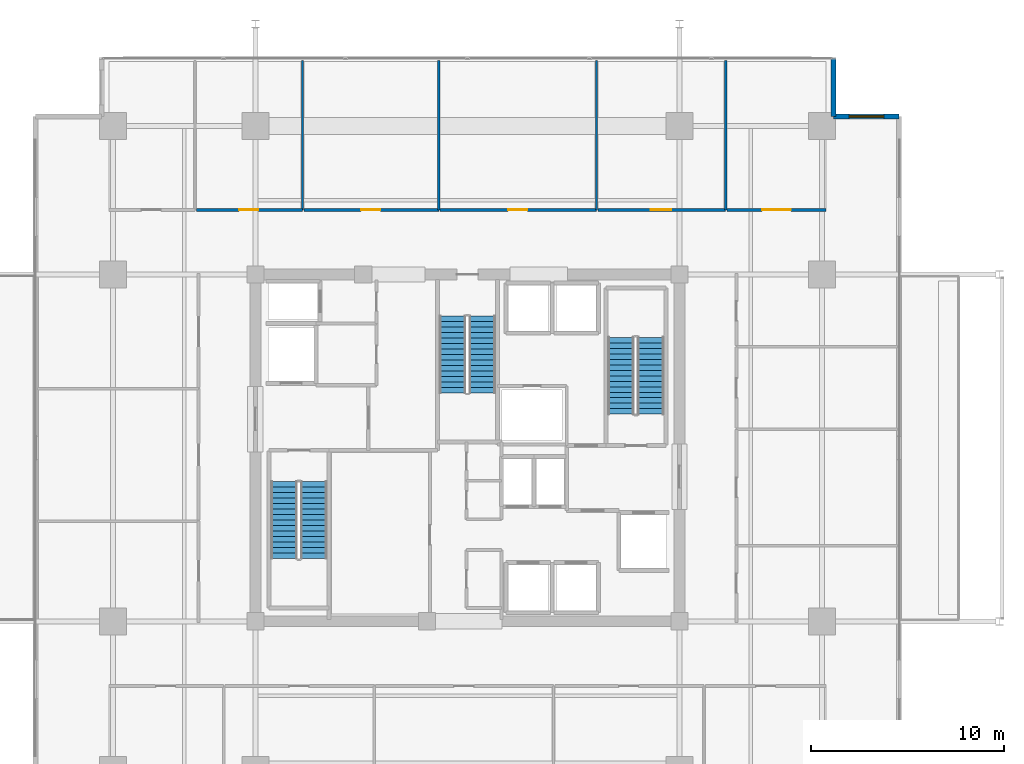
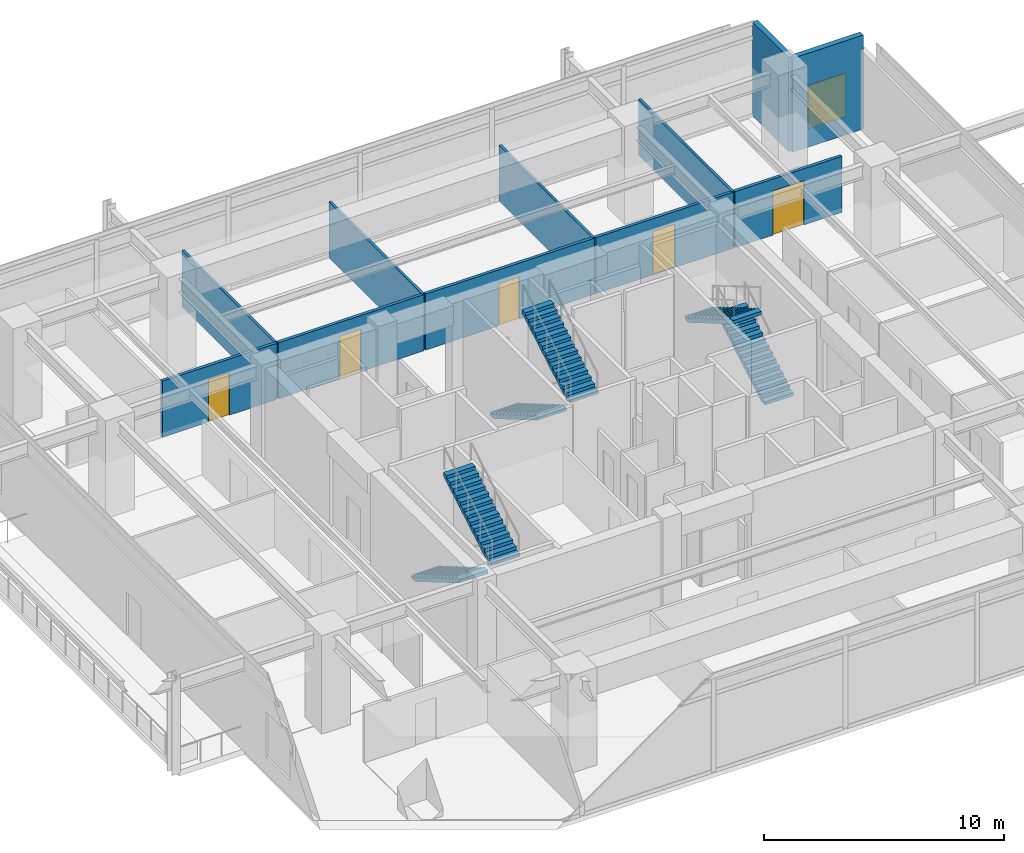
# One storey, part 15 of 19: 11 walls, 6 stair flights, 5 doors, 1 window, 6 openings, 3 elements without a shape of their own.
"""IFC4 building model written with IfcOpenShell, lengths in metres."""

from ifc_helpers import new_model, si_unit, direction, frame, frame_2d, origin, place, context, subcontext, project, spatial, polyline, rectangle, outline, extrude, material, layer, layer_set, type_object, element, fill, aggregate, save


model = new_model("IFC4")

# Units and contexts
model_context = context("Model", 3, precision=1e-05, world=origin(), true_north=direction((0.0, 1.0)))
body_context = subcontext(model_context, "Body", "Model", "MODEL_VIEW")
ifc_project = project(units=[si_unit("LENGTHUNIT", "METRE"), si_unit("AREAUNIT", "SQUARE_METRE"), si_unit("VOLUMEUNIT", "CUBIC_METRE"), si_unit("PLANEANGLEUNIT", "RADIAN"), si_unit("MASSUNIT", "GRAM", prefix="KILO")], contexts=[model_context])

# Site, building, storey
site_placement = place(None, origin())
site = spatial("IfcSite", under=ifc_project, at=site_placement, CompositionType="ELEMENT")
building_placement = place(site_placement, origin())
building = spatial("IfcBuilding", under=site, at=building_placement, Name="Kovane Verandah Tower", CompositionType="ELEMENT")
storey_placement = place(building_placement, frame((0.0, 0.0, 200.199951171875)))
storey = spatial("IfcBuildingStorey", under=building, at=storey_placement, Name="L46", CompositionType="ELEMENT", Elevation=200.199951171875)

# Wall, opening, door
ifc_material_1 = material(Name="Fire-Rated Gypsum Stud Partition", Category="gypsum")
ifc_layer_1 = layer(ifc_material_1, 0.14990234375)
ifc_layer_set_1 = layer_set([ifc_layer_1], Name="Fire-Rated Gypsum Stud Partition")
wall_type_1 = type_object("IfcWallType", Name="WL-COR-150", PredefinedType="PARTITIONING", material=ifc_layer_set_1)
wall_1_placement = place(storey_placement, frame((25.93408203125, 39.85009765625, 0.0), z_axis=(0.0, 0.0, 1.0), x_axis=(1.0, 0.0, 0.0)))
wall_1 = element("IfcWall", 1, at=wall_1_placement, inside=storey, type_object=wall_type_1, Name="L46 Collaboration Hub N2 Corridor Partition", PredefinedType="PARTITIONING", context=body_context, shape_type="SweptSolid", body=[
    extrude(rectangle(XDim=5.510009765625, YDim=0.14990234375, at=frame_2d((2.7548828125, 0.0))), origin(), (0.0, 0.0, 1.0), 2.85009765625),
])
opening_1_placement = place(wall_1_placement, frame((2.219970703125, 0.0, 0.0)))
opening_1 = element("IfcOpeningElement", 2, at=opening_1_placement, cuts=wall_1, Name="Opening DR-L46-019", PredefinedType="OPENING", context=body_context, shape_type="SweptSolid", body=[
    extrude(rectangle(XDim=1.0, YDim=2.14990234375, at=frame_2d((0.5, 1.074951171875))), frame((0.0, 0.074951171875, 0.0), z_axis=(0.0, -1.0, 0.0), x_axis=(1.0, 0.0, 0.0)), (0.0, 0.0, 1.0), 0.14990234375),
])
ifc_material_2 = material(Name="FSC Spotted-Gum Timber Fire-Rated Office Door", Category="wood")
door_type_1 = type_object("IfcDoorType", Name="DR-OFF-1000", OperationType="SINGLE_SWING_LEFT", PredefinedType="DOOR", material=ifc_material_2)
door_1_placement = place(opening_1_placement, origin())
door_1 = element("IfcDoor", 3, at=door_1_placement, inside=storey, type_object=door_type_1, Name="L46 Collaboration Hub N2 Entrance Door", OperationType="SINGLE_SWING_LEFT", OverallHeight=2.14990234375, OverallWidth=1.0, PredefinedType="DOOR", context=body_context, shape_type="SweptSolid", body=[
    extrude(rectangle(XDim=1.0, YDim=2.14990234375, at=frame_2d((0.5, 1.074951171875))), frame((0.0, 0.02490234375, 0.0), z_axis=(0.0, -1.0, 0.0), x_axis=(1.0, 0.0, 0.0)), (0.0, 0.0, 1.0), 0.050048828125),
])
fill(opening_1, door_1)

wall_2_placement = place(storey_placement, frame((31.513916015625, 39.85009765625, 0.0), z_axis=(0.0, 0.0, 1.0), x_axis=(1.0, 0.0, 0.0)))
wall_2 = element("IfcWall", 4, at=wall_2_placement, inside=storey, type_object=wall_type_1, Name="L46 Document and Print Room N3 Corridor Partition", PredefinedType="PARTITIONING", context=body_context, shape_type="SweptSolid", body=[
    extrude(rectangle(XDim=6.998046875, YDim=0.14990234375, at=frame_2d((3.4990234375, 0.0))), origin(), (0.0, 0.0, 1.0), 2.85009765625),
])
opening_2_placement = place(wall_2_placement, frame((2.964111328125, 0.0, 0.0)))
opening_2 = element("IfcOpeningElement", 5, at=opening_2_placement, cuts=wall_2, Name="Opening DR-L46-020", PredefinedType="OPENING", context=body_context, shape_type="SweptSolid", body=[
    extrude(rectangle(XDim=1.0, YDim=2.14990234375, at=frame_2d((0.5, 1.074951171875))), frame((0.0, 0.074951171875, 0.0), z_axis=(0.0, -1.0, 0.0), x_axis=(1.0, 0.0, 0.0)), (0.0, 0.0, 1.0), 0.14990234375),
])
door_2_placement = place(opening_2_placement, origin())
door_2 = element("IfcDoor", 6, at=door_2_placement, inside=storey, type_object=door_type_1, Name="L46 Document and Print Room N3 Entrance Door", OperationType="SINGLE_SWING_RIGHT", OverallHeight=2.14990234375, OverallWidth=1.0, PredefinedType="DOOR", context=body_context, shape_type="SweptSolid", body=[
    extrude(rectangle(XDim=1.0, YDim=2.14990234375, at=frame_2d((0.5, 1.074951171875))), frame((0.0, 0.02490234375, 0.0), z_axis=(0.0, -1.0, 0.0), x_axis=(1.0, 0.0, 0.0)), (0.0, 0.0, 1.0), 0.050048828125),
])
fill(opening_2, door_2)

wall_3_placement = place(storey_placement, frame((38.58203125, 39.85009765625, 0.0), z_axis=(0.0, 0.0, 1.0), x_axis=(1.0, 0.0, 0.0)))
wall_3 = element("IfcWall", 7, at=wall_3_placement, inside=storey, type_object=wall_type_1, Name="L46 Open Plan Office N4 Corridor Partition", PredefinedType="PARTITIONING", context=body_context, shape_type="SweptSolid", body=[
    extrude(rectangle(XDim=8.114013671875, YDim=0.14990234375, at=frame_2d((4.05712890625, 0.0))), origin(), (0.0, 0.0, 1.0), 2.85009765625),
])
opening_3_placement = place(wall_3_placement, frame((3.52197265625, 0.0, 0.0)))
opening_3 = element("IfcOpeningElement", 8, at=opening_3_placement, cuts=wall_3, Name="Opening DR-L46-021", PredefinedType="OPENING", context=body_context, shape_type="SweptSolid", body=[
    extrude(rectangle(XDim=1.0, YDim=2.14990234375, at=frame_2d((0.5, 1.074951171875))), frame((0.0, 0.074951171875, 0.0), z_axis=(0.0, -1.0, 0.0), x_axis=(1.0, 0.0, 0.0)), (0.0, 0.0, 1.0), 0.14990234375),
])
door_3_placement = place(opening_3_placement, origin())
door_3 = element("IfcDoor", 9, at=door_3_placement, inside=storey, type_object=door_type_1, Name="L46 Open Plan Office N4 Entrance Door", OperationType="SINGLE_SWING_LEFT", OverallHeight=2.14990234375, OverallWidth=1.0, PredefinedType="DOOR", context=body_context, shape_type="SweptSolid", body=[
    extrude(rectangle(XDim=1.0, YDim=2.14990234375, at=frame_2d((0.5, 1.074951171875))), frame((0.0, 0.02490234375, 0.0), z_axis=(0.0, -1.0, 0.0), x_axis=(1.0, 0.0, 0.0)), (0.0, 0.0, 1.0), 0.050048828125),
])
fill(opening_3, door_3)

wall_4_placement = place(storey_placement, frame((46.76611328125, 39.85009765625, 0.0), z_axis=(0.0, 0.0, 1.0), x_axis=(1.0, 0.0, 0.0)))
wall_4 = element("IfcWall", 10, at=wall_4_placement, inside=storey, type_object=wall_type_1, Name="L46 Executive Office N5 Corridor Partition", PredefinedType="PARTITIONING", context=body_context, shape_type="SweptSolid", body=[
    extrude(rectangle(XDim=6.6259765625, YDim=0.14990234375, at=frame_2d((3.31298828125, 0.0))), origin(), (0.0, 0.0, 1.0), 2.85009765625),
])
opening_4_placement = place(wall_4_placement, frame((2.7529296875, 0.0, 0.0)))
opening_4 = element("IfcOpeningElement", 11, at=opening_4_placement, cuts=wall_4, Name="Opening DR-L46-022", PredefinedType="OPENING", context=body_context, shape_type="SweptSolid", body=[
    extrude(rectangle(XDim=1.050048828125, YDim=2.199951171875, at=frame_2d((0.52490234375, 1.10009765625))), frame((0.0, 0.074951171875, 0.0), z_axis=(0.0, -1.0, 0.0), x_axis=(1.0, 0.0, 0.0)), (0.0, 0.0, 1.0), 0.14990234375),
])
ifc_material_3 = material(Name="FSC Blackbutt Timber Fire-Rated Executive Door", Category="wood")
door_type_2 = type_object("IfcDoorType", Name="DR-EXEC-1050", OperationType="SINGLE_SWING_LEFT", PredefinedType="DOOR", material=ifc_material_3)
door_4_placement = place(opening_4_placement, origin())
door_4 = element("IfcDoor", 12, at=door_4_placement, inside=storey, type_object=door_type_2, Name="L46 Executive Office N5 Entrance Door", OperationType="SINGLE_SWING_RIGHT", OverallHeight=2.199951171875, OverallWidth=1.050048828125, PredefinedType="DOOR", context=body_context, shape_type="SweptSolid", body=[
    extrude(rectangle(XDim=1.050048828125, YDim=2.199951171875, at=frame_2d((0.52490234375, 1.10009765625))), frame((0.0, 0.02490234375, 0.0), z_axis=(0.0, -1.0, 0.0), x_axis=(1.0, 0.0, 0.0)), (0.0, 0.0, 1.0), 0.050048828125),
])
fill(opening_4, door_4)

wall_5_placement = place(storey_placement, frame((53.4619140625, 39.85009765625, 0.0), z_axis=(0.0, 0.0, 1.0), x_axis=(1.0, 0.0, 0.0)))
wall_5 = element("IfcWall", 13, at=wall_5_placement, inside=storey, type_object=wall_type_1, Name="L46 Client Boardroom N6 Corridor Partition", PredefinedType="PARTITIONING", context=body_context, shape_type="SweptSolid", body=[
    extrude(rectangle(XDim=5.13818359375, YDim=0.14990234375, at=frame_2d((2.569091796875, 0.0))), origin(), (0.0, 0.0, 1.0), 2.85009765625),
])
opening_5_placement = place(wall_5_placement, frame((1.819091796875, 0.0, 0.0)))
opening_5 = element("IfcOpeningElement", 14, at=opening_5_placement, cuts=wall_5, Name="Opening DR-L46-023", PredefinedType="OPENING", context=body_context, shape_type="SweptSolid", body=[
    extrude(rectangle(XDim=1.5, YDim=2.25, at=frame_2d((0.75, 1.125))), frame((0.0, 0.074951171875, 0.0), z_axis=(0.0, -1.0, 0.0), x_axis=(1.0, 0.0, 0.0)), (0.0, 0.0, 1.0), 0.14990234375),
])
ifc_material_4 = material(Name="Glazed Timber Fire-Rated Double Door", Category="wood")
door_type_3 = type_object("IfcDoorType", Name="DR-CONF-1500", OperationType="DOUBLE_DOOR_SINGLE_SWING", PredefinedType="DOOR", material=ifc_material_4)
door_5_placement = place(opening_5_placement, origin())
door_5 = element("IfcDoor", 15, at=door_5_placement, inside=storey, type_object=door_type_3, Name="L46 Client Boardroom N6 Entrance Door", OperationType="DOUBLE_DOOR_SINGLE_SWING", OverallHeight=2.25, OverallWidth=1.5, PredefinedType="DOOR", context=body_context, shape_type="SweptSolid", body=[
    extrude(rectangle(XDim=1.5, YDim=2.25, at=frame_2d((0.75, 1.125))), frame((0.0, 0.02490234375, 0.0), z_axis=(0.0, -1.0, 0.0), x_axis=(1.0, 0.0, 0.0)), (0.0, 0.0, 1.0), 0.050048828125),
])
fill(opening_5, door_5)

# Walls
ifc_material_5 = material(Name="Acoustic Fire-Rated Gypsum Partition", Category="gypsum")
ifc_layer_2 = layer(ifc_material_5, 0.1201171875)
ifc_layer_set_2 = layer_set([ifc_layer_2], Name="Acoustic Fire-Rated Gypsum Partition")
wall_type_2 = type_object("IfcWallType", Name="WL-PART-120", PredefinedType="PARTITIONING", material=ifc_layer_set_2)
for number, where, z_axis, x_axis, name in (
    (16, (31.444091796875, 39.85009765625, 0.0), (0.0, 0.0, 1.0), (0.0, 1.0, 0.0), "L46 Collaboration Hub N2 Dividing Partition"),
    (17, (38.511962890625, 39.85009765625, 0.0), (0.0, 0.0, 1.0), (0.0, 1.0, 0.0), "L46 Document and Print Room N3 Dividing Partition"),
    (18, (46.696044921875, 39.85009765625, 0.0), (0.0, 0.0, 1.0), (0.0, 1.0, 0.0), "L46 Open Plan Office N4 Dividing Partition"),
    (19, (53.39208984375, 39.85009765625, 0.0), (0.0, 0.0, 1.0), (0.0, 1.0, 0.0), "L46 Executive Office N5 Dividing Partition"),
):
    element("IfcWall", number, at=place(storey_placement, frame(where, z_axis=z_axis, x_axis=x_axis)), inside=storey, type_object=wall_type_2, Name=name, PredefinedType="PARTITIONING", context=body_context, shape_type="SweptSolid", body=[
        extrude(rectangle(XDim=7.75, YDim=0.1201171875, at=frame_2d((3.875, 0.0))), origin(), (0.0, 0.0, 1.0), 2.85009765625),
    ])

# Wall, opening, window
ifc_material_6 = material(Name="Concrete C45/55 Insulated Spandrel Wall", Category="concrete")
ifc_layer_3 = layer(ifc_material_6, 0.260009765625)
ifc_layer_set_3 = layer_set([ifc_layer_3], Name="Concrete C45/55 Insulated Spandrel Wall")
wall_type_3 = type_object("IfcWallType", Name="WL-SPANDREL-260", PredefinedType="PARAPET", material=ifc_layer_set_3)
wall_6_placement = place(storey_placement, frame((62.39990234375, 44.699951171875, 0.0), z_axis=(0.0, 0.0, 1.0), x_axis=(-1.0, 0.0, 0.0)))
wall_6 = element("IfcWall", 20, at=wall_6_placement, inside=storey, type_object=wall_type_3, Name="L46 NE Notch Cheek Wall 1", PredefinedType="PARAPET", context=body_context, shape_type="SweptSolid", body=[
    extrude(rectangle(XDim=3.39990234375, YDim=0.260009765625, at=frame_2d((1.699951171875, 0.0))), origin(), (0.0, 0.0, 1.0), 4.775146484375),
])
opening_6_placement = place(wall_6_placement, frame((0.800048828125, 0.0, 0.85009765625)))
opening_6 = element("IfcOpeningElement", 21, at=opening_6_placement, cuts=wall_6, Name="Opening W-03", PredefinedType="OPENING", context=body_context, shape_type="SweptSolid", body=[
    extrude(rectangle(XDim=1.800048828125, YDim=2.199951171875, at=frame_2d((0.89990234375, 1.10009765625))), frame((0.0, 0.1298828125, 0.0), z_axis=(0.0, -1.0, 0.0), x_axis=(1.0, 0.0, 0.0)), (0.0, 0.0, 1.0), 0.260009765625),
])
ifc_material_7 = material(Name="Clear Low-E Laminated Double Glazing in Anodised Frame", Category="glass")
window_type = type_object("IfcWindowType", Name="WN-NOTCH-1800x2200", PartitioningType="SINGLE_PANEL", PredefinedType="WINDOW", material=ifc_material_7)
window_placement = place(opening_6_placement, origin())
window = element("IfcWindow", 22, at=window_placement, inside=storey, type_object=window_type, Name="L46 NE Re-Entrant Corner Operable Window", OverallHeight=2.199951171875, OverallWidth=1.800048828125, PartitioningType="SINGLE_PANEL", PredefinedType="WINDOW", context=body_context, shape_type="SweptSolid", body=[
    extrude(rectangle(XDim=1.800048828125, YDim=2.199951171875, at=frame_2d((0.89990234375, 1.10009765625))), frame((0.0, 0.030029296875, 0.0), z_axis=(0.0, -1.0, 0.0), x_axis=(1.0, 0.0, 0.0)), (0.0, 0.0, 1.0), 0.06005859375),
])
fill(opening_6, window)

# Wall
wall_7_placement = place(storey_placement, frame((59.0, 44.699951171875, 0.0), z_axis=(0.0, 0.0, 1.0), x_axis=(0.0, 1.0, 0.0)))
element("IfcWall", 23, at=wall_7_placement, inside=storey, type_object=wall_type_3, Name="L46 NE Notch Cheek Wall 2", PredefinedType="PARAPET", context=body_context, shape_type="SweptSolid", body=[
    extrude(rectangle(XDim=3.0, YDim=0.260009765625, at=frame_2d((1.5, 0.0))), origin(), (0.0, 0.0, 1.0), 4.775146484375),
])

# Stair, stair flights
ifc_material_8 = material(Name="Concrete C45/55", Category="concrete")
stair_type = type_object("IfcStairType", Name="ST-CORE-1380", PredefinedType="HALF_TURN_STAIR", material=ifc_material_8)
stair_1_placement = place(storey_placement, origin())
stair_1 = element("IfcStair", 24, at=stair_1_placement, inside=storey, type_object=stair_type, Name="L46 Exit Stair ST-01", PredefinedType="HALF_TURN_STAIR")
stair_flight_type = type_object("IfcStairFlightType", Name="STF-CORE-1380", PredefinedType="STRAIGHT", material=ifc_material_8)
stair_flight_1_placement = place(storey_placement, frame((30.489990234375, 25.75, 0.0), z_axis=(0.0, 0.0, 1.0), x_axis=(0.0, -1.0, 0.0)))
stair_flight_1 = element("IfcStairFlight", 25, at=stair_flight_1_placement, type_object=stair_flight_type, Name="ST-01 flight 1", NumberOfRisers=15, NumberOfTreads=14, PredefinedType="STRAIGHT", RiserHeight=0.166666667, TreadLength=0.285, context=body_context, shape_type="SweptSolid", body=[
    extrude(outline(polyline([(0.0, 0.0), (0.0, 0.166748046875), (0.284912109375, 0.166748046875), (0.284912109375, 0.333251953125), (0.570068359375, 0.333251953125), (0.570068359375, 0.5), (0.85498046875, 0.5), (0.85498046875, 0.666748046875), (1.139892578125, 0.666748046875), (1.139892578125, 0.833251953125), (1.425048828125, 0.833251953125), (1.425048828125, 1.0), (1.7099609375, 1.0), (1.7099609375, 1.166748046875), (1.9951171875, 1.166748046875), (1.9951171875, 1.333251953125), (2.280029296875, 1.333251953125), (2.280029296875, 1.5), (2.56494140625, 1.5), (2.56494140625, 1.666748046875), (2.85009765625, 1.666748046875), (2.85009765625, 1.833251953125), (3.135009765625, 1.833251953125), (3.135009765625, 2.0), (3.419921875, 2.0), (3.419921875, 2.166748046875), (3.705078125, 2.166748046875), (3.705078125, 2.333251953125), (3.989990234375, 2.333251953125), (3.989990234375, 2.5), (3.989990234375, 2.15966796875), (0.296875, 0.0), (0.0, 0.0)])), frame((0.0, 0.68994140625, 0.0), z_axis=(0.0, -1.0, 0.0), x_axis=(1.0, 0.0, 0.0)), (0.0, 0.0, 1.0), 1.3798828125),
])
stair_flight_2_placement = place(storey_placement, frame((32.030029296875, 21.760009765625, 2.5), z_axis=(0.0, 0.0, 1.0), x_axis=(0.0, 1.0, 0.0)))
stair_flight_2 = element("IfcStairFlight", 26, at=stair_flight_2_placement, type_object=stair_flight_type, Name="ST-01 flight 2", NumberOfRisers=15, NumberOfTreads=14, PredefinedType="STRAIGHT", RiserHeight=0.166666667, TreadLength=0.285, context=body_context, shape_type="SweptSolid", body=[
    extrude(outline(polyline([(0.0, 0.0), (0.0, 0.166748046875), (0.284912109375, 0.166748046875), (0.284912109375, 0.333251953125), (0.570068359375, 0.333251953125), (0.570068359375, 0.5), (0.85498046875, 0.5), (0.85498046875, 0.666748046875), (1.139892578125, 0.666748046875), (1.139892578125, 0.833251953125), (1.425048828125, 0.833251953125), (1.425048828125, 1.0), (1.7099609375, 1.0), (1.7099609375, 1.166748046875), (1.9951171875, 1.166748046875), (1.9951171875, 1.333251953125), (2.280029296875, 1.333251953125), (2.280029296875, 1.5), (2.56494140625, 1.5), (2.56494140625, 1.666748046875), (2.85009765625, 1.666748046875), (2.85009765625, 1.833251953125), (3.135009765625, 1.833251953125), (3.135009765625, 2.0), (3.419921875, 2.0), (3.419921875, 2.166748046875), (3.705078125, 2.166748046875), (3.705078125, 2.333251953125), (3.989990234375, 2.333251953125), (3.989990234375, 2.5), (3.989990234375, 2.15966796875), (0.296875, 0.0), (0.0, 0.0)])), frame((0.0, 0.68994140625, 0.0), z_axis=(0.0, -1.0, 0.0), x_axis=(1.0, 0.0, 0.0)), (0.0, 0.0, 1.0), 1.3798828125),
])
aggregate(stair_1, [stair_flight_1, stair_flight_2])

stair_2_placement = place(storey_placement, origin())
stair_2 = element("IfcStair", 27, at=stair_2_placement, inside=storey, type_object=stair_type, Name="L46 Exit Stair ST-02", PredefinedType="HALF_TURN_STAIR")
stair_flight_3_placement = place(storey_placement, frame((49.510009765625, 29.25, 0.0), z_axis=(0.0, 0.0, 1.0), x_axis=(0.0, 1.0, 0.0)))
stair_flight_3 = element("IfcStairFlight", 28, at=stair_flight_3_placement, type_object=stair_flight_type, Name="ST-02 flight 1", NumberOfRisers=15, NumberOfTreads=14, PredefinedType="STRAIGHT", RiserHeight=0.166666667, TreadLength=0.285, context=body_context, shape_type="SweptSolid", body=[
    extrude(outline(polyline([(0.0, 0.0), (0.0, 0.166748046875), (0.284912109375, 0.166748046875), (0.284912109375, 0.333251953125), (0.570068359375, 0.333251953125), (0.570068359375, 0.5), (0.85498046875, 0.5), (0.85498046875, 0.666748046875), (1.139892578125, 0.666748046875), (1.139892578125, 0.833251953125), (1.425048828125, 0.833251953125), (1.425048828125, 1.0), (1.7099609375, 1.0), (1.7099609375, 1.166748046875), (1.9951171875, 1.166748046875), (1.9951171875, 1.333251953125), (2.280029296875, 1.333251953125), (2.280029296875, 1.5), (2.56494140625, 1.5), (2.56494140625, 1.666748046875), (2.85009765625, 1.666748046875), (2.85009765625, 1.833251953125), (3.135009765625, 1.833251953125), (3.135009765625, 2.0), (3.419921875, 2.0), (3.419921875, 2.166748046875), (3.705078125, 2.166748046875), (3.705078125, 2.333251953125), (3.989990234375, 2.333251953125), (3.989990234375, 2.5), (3.989990234375, 2.15966796875), (0.296875, 0.0), (0.0, 0.0)])), frame((0.0, 0.68994140625, 0.0), z_axis=(0.0, -1.0, 0.0), x_axis=(1.0, 0.0, 0.0)), (0.0, 0.0, 1.0), 1.3798828125),
])
stair_flight_4_placement = place(storey_placement, frame((47.969970703125, 33.239990234375, 2.5), z_axis=(0.0, 0.0, 1.0), x_axis=(0.0, -1.0, 0.0)))
stair_flight_4 = element("IfcStairFlight", 29, at=stair_flight_4_placement, type_object=stair_flight_type, Name="ST-02 flight 2", NumberOfRisers=15, NumberOfTreads=14, PredefinedType="STRAIGHT", RiserHeight=0.166666667, TreadLength=0.285, context=body_context, shape_type="SweptSolid", body=[
    extrude(outline(polyline([(0.0, 0.0), (0.0, 0.166748046875), (0.284912109375, 0.166748046875), (0.284912109375, 0.333251953125), (0.570068359375, 0.333251953125), (0.570068359375, 0.5), (0.85498046875, 0.5), (0.85498046875, 0.666748046875), (1.139892578125, 0.666748046875), (1.139892578125, 0.833251953125), (1.425048828125, 0.833251953125), (1.425048828125, 1.0), (1.7099609375, 1.0), (1.7099609375, 1.166748046875), (1.9951171875, 1.166748046875), (1.9951171875, 1.333251953125), (2.280029296875, 1.333251953125), (2.280029296875, 1.5), (2.56494140625, 1.5), (2.56494140625, 1.666748046875), (2.85009765625, 1.666748046875), (2.85009765625, 1.833251953125), (3.135009765625, 1.833251953125), (3.135009765625, 2.0), (3.419921875, 2.0), (3.419921875, 2.166748046875), (3.705078125, 2.166748046875), (3.705078125, 2.333251953125), (3.989990234375, 2.333251953125), (3.989990234375, 2.5), (3.989990234375, 2.15966796875), (0.296875, 0.0), (0.0, 0.0)])), frame((0.0, 0.68994140625, 0.0), z_axis=(0.0, -1.0, 0.0), x_axis=(1.0, 0.0, 0.0)), (0.0, 0.0, 1.0), 1.3798828125),
])
aggregate(stair_2, [stair_flight_3, stair_flight_4])

stair_3_placement = place(storey_placement, origin())
stair_3 = element("IfcStair", 30, at=stair_3_placement, inside=storey, type_object=stair_type, Name="L46 Exit Stair ST-03", PredefinedType="HALF_TURN_STAIR")
stair_flight_5_placement = place(storey_placement, frame((39.22998046875, 34.35009765625, 0.0), z_axis=(0.0, 0.0, 1.0), x_axis=(0.0, -1.0, 0.0)))
stair_flight_5 = element("IfcStairFlight", 31, at=stair_flight_5_placement, type_object=stair_flight_type, Name="ST-03 flight 1", NumberOfRisers=15, NumberOfTreads=14, PredefinedType="STRAIGHT", RiserHeight=0.166666667, TreadLength=0.285, context=body_context, shape_type="SweptSolid", body=[
    extrude(outline(polyline([(0.0, 0.0), (0.0, 0.166748046875), (0.284912109375, 0.166748046875), (0.284912109375, 0.333251953125), (0.570068359375, 0.333251953125), (0.570068359375, 0.5), (0.85498046875, 0.5), (0.85498046875, 0.666748046875), (1.139892578125, 0.666748046875), (1.139892578125, 0.833251953125), (1.425048828125, 0.833251953125), (1.425048828125, 1.0), (1.7099609375, 1.0), (1.7099609375, 1.166748046875), (1.9951171875, 1.166748046875), (1.9951171875, 1.333251953125), (2.280029296875, 1.333251953125), (2.280029296875, 1.5), (2.56494140625, 1.5), (2.56494140625, 1.666748046875), (2.85009765625, 1.666748046875), (2.85009765625, 1.833251953125), (3.135009765625, 1.833251953125), (3.135009765625, 2.0), (3.419921875, 2.0), (3.419921875, 2.166748046875), (3.705078125, 2.166748046875), (3.705078125, 2.333251953125), (3.989990234375, 2.333251953125), (3.989990234375, 2.5), (3.989990234375, 2.15966796875), (0.296875, 0.0), (0.0, 0.0)])), frame((0.0, 0.68994140625, 0.0), z_axis=(0.0, -1.0, 0.0), x_axis=(1.0, 0.0, 0.0)), (0.0, 0.0, 1.0), 1.3798828125),
])
stair_flight_6_placement = place(storey_placement, frame((40.77001953125, 30.360107421875, 2.5), z_axis=(0.0, 0.0, 1.0), x_axis=(0.0, 1.0, 0.0)))
stair_flight_6 = element("IfcStairFlight", 32, at=stair_flight_6_placement, type_object=stair_flight_type, Name="ST-03 flight 2", NumberOfRisers=15, NumberOfTreads=14, PredefinedType="STRAIGHT", RiserHeight=0.166666667, TreadLength=0.285, context=body_context, shape_type="SweptSolid", body=[
    extrude(outline(polyline([(0.0, 0.0), (0.0, 0.166748046875), (0.284912109375, 0.166748046875), (0.284912109375, 0.333251953125), (0.570068359375, 0.333251953125), (0.570068359375, 0.5), (0.85498046875, 0.5), (0.85498046875, 0.666748046875), (1.139892578125, 0.666748046875), (1.139892578125, 0.833251953125), (1.425048828125, 0.833251953125), (1.425048828125, 1.0), (1.7099609375, 1.0), (1.7099609375, 1.166748046875), (1.9951171875, 1.166748046875), (1.9951171875, 1.333251953125), (2.280029296875, 1.333251953125), (2.280029296875, 1.5), (2.56494140625, 1.5), (2.56494140625, 1.666748046875), (2.85009765625, 1.666748046875), (2.85009765625, 1.833251953125), (3.135009765625, 1.833251953125), (3.135009765625, 2.0), (3.419921875, 2.0), (3.419921875, 2.166748046875), (3.705078125, 2.166748046875), (3.705078125, 2.333251953125), (3.989990234375, 2.333251953125), (3.989990234375, 2.5), (3.989990234375, 2.15966796875), (0.296875, 0.0), (0.0, 0.0)])), frame((0.0, 0.68994140625, 0.0), z_axis=(0.0, -1.0, 0.0), x_axis=(1.0, 0.0, 0.0)), (0.0, 0.0, 1.0), 1.3798828125),
])
aggregate(stair_3, [stair_flight_5, stair_flight_6])

save(model, "model.ifc")
